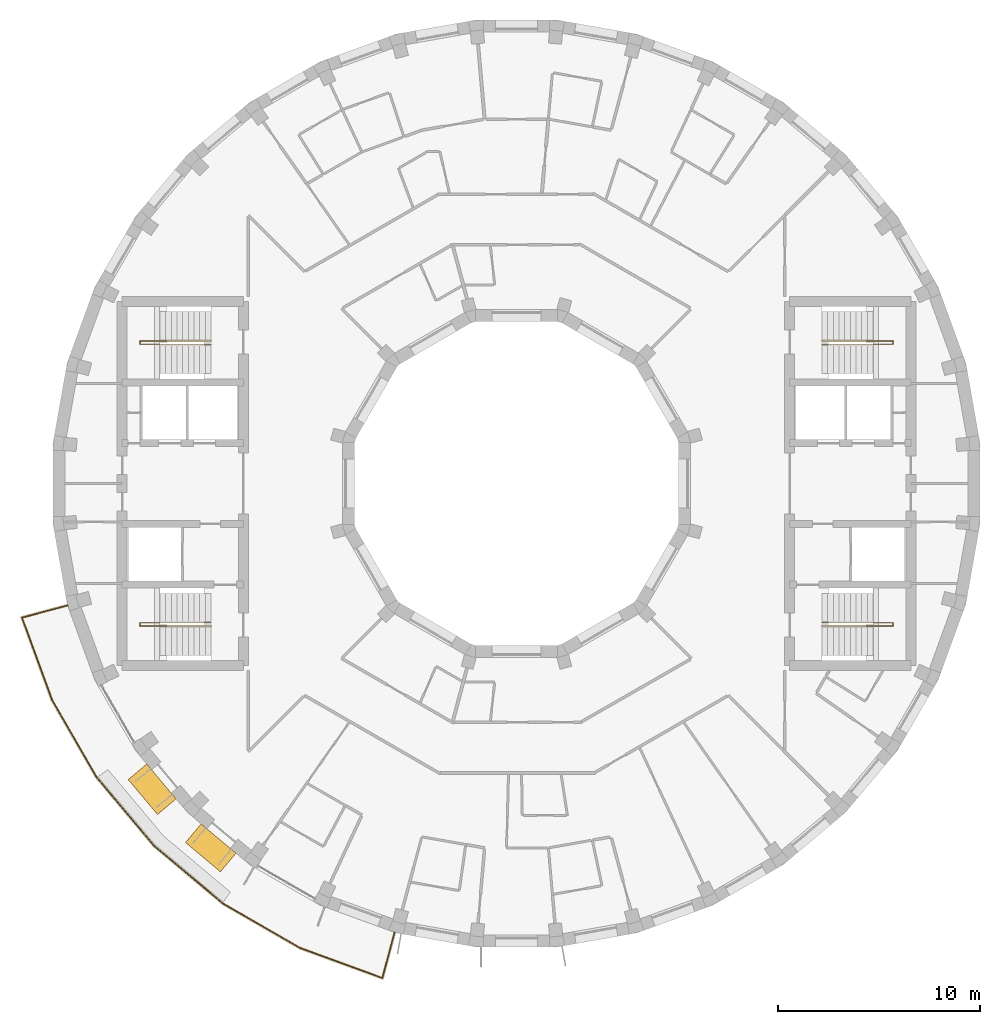
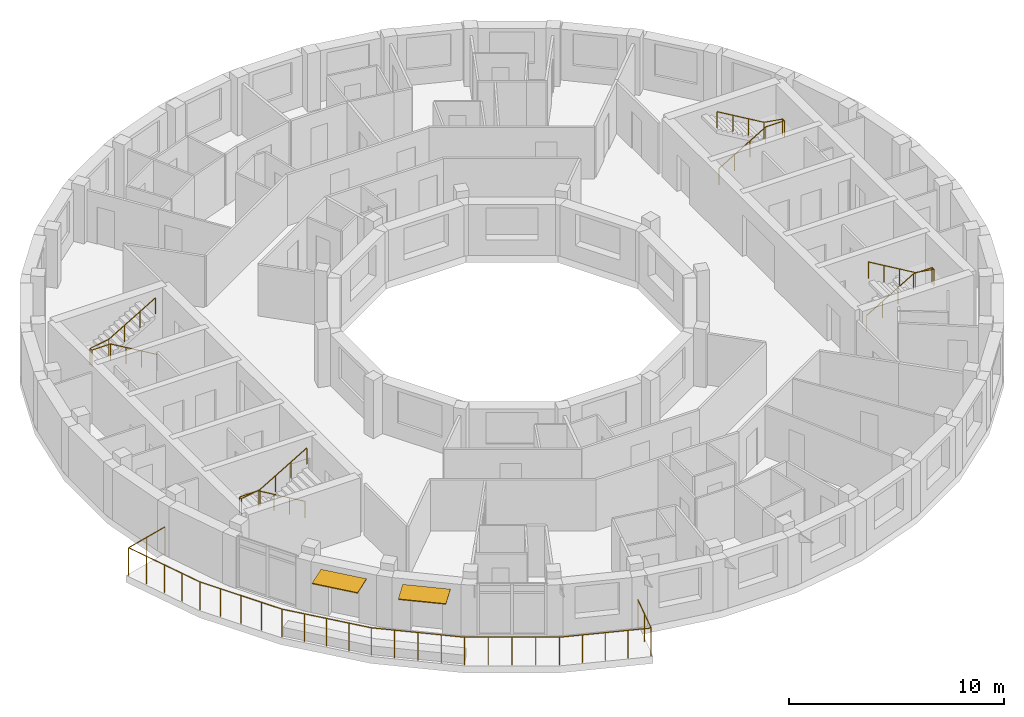
# One storey, part 12 of 12: 5 railings, 2 shading devices.
"""IFC4 building model written with IfcOpenShell, lengths in metres."""

from ifc_helpers import new_model, si_unit, direction, frame, origin, origin_2d, place, context, subcontext, project, spatial, rectangle, circle, extrude, material, layer, layer_set, type_object, element, save


model = new_model("IFC4")

# Units and contexts
model_context = context("Model", 3, precision=1e-05, world=origin(), true_north=direction((0.0, 1.0)))
body_context = subcontext(model_context, "Body", "Model", "MODEL_VIEW")
ifc_project = project(units=[si_unit("LENGTHUNIT", "METRE"), si_unit("AREAUNIT", "SQUARE_METRE"), si_unit("VOLUMEUNIT", "CUBIC_METRE"), si_unit("PLANEANGLEUNIT", "RADIAN"), si_unit("MASSUNIT", "GRAM", prefix="KILO")], contexts=[model_context])

# Site, building, storey
site_placement = place(None, origin())
site = spatial("IfcSite", under=ifc_project, at=site_placement, CompositionType="ELEMENT")
building_placement = place(site_placement, origin())
building = spatial("IfcBuilding", under=site, at=building_placement, Name="Saqina Gate Tower", CompositionType="ELEMENT")
storey_placement = place(building_placement, frame((0.0, 0.0, 266.0)))
storey = spatial("IfcBuildingStorey", under=building, at=storey_placement, Name="L76", CompositionType="ELEMENT", Elevation=266.0)

# Shading devices
ifc_material_1 = material(Name="Aluminium and fabric awning", Category="aluminium")
ifc_layer = layer(ifc_material_1, 0.050048828125)
ifc_layer_set = layer_set([ifc_layer], Name="AW-TERRACE")
shading_device_type = type_object("IfcShadingDeviceType", Name="AW-TERRACE", PredefinedType="AWNING", material=ifc_layer_set)
for number, where, z_axis, x_axis, name in (
    (1, (-18.01171875, -15.113525390625, 2.52490234375), (0.0, 0.0, 1.0), (0.642787609687, -0.766044443119, 0.0), "Terrace awning L76 facet 22"),
    (2, (-15.113525390625, -18.01171875, 2.52490234375), (0.0, 0.0, 1.0), (0.766044443119, -0.642787609687, 0.0), "Terrace awning L76 facet 23"),
):
    element("IfcShadingDevice", number, at=place(storey_placement, frame(where, z_axis=z_axis, x_axis=x_axis)), inside=storey, type_object=shading_device_type, Name=name, PredefinedType="AWNING", context=body_context, shape_type="SweptSolid", body=[
        extrude(rectangle(XDim=2.251708984375, YDim=1.199951171875, at=origin_2d()), origin(), (0.0, 0.0, 1.0), 0.050048828125),
    ])

# Railings
ifc_material_2 = material(Name="Stainless steel", Category="steel")
railing_type_1 = type_object("IfcRailingType", Name="RL-TERRACE", PredefinedType="GUARDRAIL", material=ifc_material_2)
railing_1_placement = place(storey_placement, frame((-22.1376953125, -6.0146484375, 0.0)))
element("IfcRailing", 3, at=railing_1_placement, inside=storey, type_object=railing_type_1, Name="Terrace guard L76", PredefinedType="GUARDRAIL", context=body_context, shape_type="SweptSolid", body=[
    extrude(circle(Radius=0.02392578125, at=origin_2d()), frame((0.0, 0.0, 1.576171875), z_axis=(-0.965935734769, -0.25878206332, 0.0), x_axis=(0.25878206332, -0.965935734769, 0.0)), (0.0, 0.0, 1.0), 2.388671875),
    extrude(circle(Radius=0.02392578125, at=origin_2d()), frame((-2.307373046875, -0.6181640625, 1.576171875), z_axis=(0.343514905065, -0.939147224879, 0.0), x_axis=(0.939147224879, 0.343514905065, 0.0)), (0.0, 0.0, 1.0), 4.33544921875),
    extrude(circle(Radius=0.02392578125, at=origin_2d()), frame((-0.818115234375, -4.689697265625, 1.576171875), z_axis=(0.49998092645, -0.866036415623, 0.0), x_axis=(0.866036415623, 0.49998092645, 0.0)), (0.0, 0.0, 1.0), 4.415283203125),
    extrude(circle(Radius=0.02392578125, at=origin_2d()), frame((1.389404296875, -8.513427734375, 1.576171875), z_axis=(0.642818527017, -0.766018499335, 0.0), x_axis=(0.766018499335, 0.642818527017, 0.0)), (0.0, 0.0, 1.0), 4.4150390625),
    extrude(circle(Radius=0.02392578125, at=origin_2d()), frame((4.2275390625, -11.8955078125, 1.576171875), z_axis=(0.766018499335, -0.642818527017, 0.0), x_axis=(0.642818527017, 0.766018499335, 0.0)), (0.0, 0.0, 1.0), 4.4150390625),
    extrude(circle(Radius=0.02392578125, at=origin_2d()), frame((7.609619140625, -14.733642578125, 1.576171875), z_axis=(0.866036415623, -0.49998092645, 0.0), x_axis=(0.49998092645, 0.866036415623, 0.0)), (0.0, 0.0, 1.0), 4.415283203125),
    extrude(circle(Radius=0.02392578125, at=origin_2d()), frame((11.433349609375, -16.941162109375, 1.576171875), z_axis=(0.939147224879, -0.343514905065, 0.0), x_axis=(0.343514905065, 0.939147224879, 0.0)), (0.0, 0.0, 1.0), 4.33544921875),
    extrude(circle(Radius=0.02392578125, at=origin_2d()), frame((15.5048828125, -18.430419921875, 1.576171875), z_axis=(0.25878206332, 0.965935734769, 0.0), x_axis=(-0.965935734769, 0.25878206332, 0.0)), (0.0, 0.0, 1.0), 2.388671875),
    extrude(circle(Radius=0.02099609375, at=origin_2d()), origin(), (0.0, 0.0, 1.0), 1.552001953125),
    extrude(circle(Radius=0.02099609375, at=origin_2d()), frame((-1.15380859375, -0.30908203125, 0.0)), (0.0, 0.0, 1.0), 1.552001953125),
    extrude(circle(Radius=0.02099609375, at=origin_2d()), frame((-2.307373046875, -0.6181640625, 0.0)), (0.0, 0.0, 1.0), 1.552001953125),
    extrude(circle(Radius=0.02099609375, at=origin_2d()), frame((-1.93505859375, -1.635986328125, 0.0)), (0.0, 0.0, 1.0), 1.552001953125),
    extrude(circle(Radius=0.02099609375, at=origin_2d()), frame((-1.562744140625, -2.65380859375, 0.0)), (0.0, 0.0, 1.0), 1.552001953125),
    extrude(circle(Radius=0.02099609375, at=origin_2d()), frame((-1.1904296875, -3.671875, 0.0)), (0.0, 0.0, 1.0), 1.552001953125),
    extrude(circle(Radius=0.02099609375, at=origin_2d()), frame((-0.818115234375, -4.689697265625, 0.0)), (0.0, 0.0, 1.0), 1.552001953125),
    extrude(circle(Radius=0.02099609375, at=origin_2d()), frame((-0.26611328125, -5.6455078125, 0.0)), (0.0, 0.0, 1.0), 1.552001953125),
    extrude(circle(Radius=0.02099609375, at=origin_2d()), frame((0.28564453125, -6.6015625, 0.0)), (0.0, 0.0, 1.0), 1.552001953125),
    extrude(circle(Radius=0.02099609375, at=origin_2d()), frame((0.83740234375, -7.5576171875, 0.0)), (0.0, 0.0, 1.0), 1.552001953125),
    extrude(circle(Radius=0.02099609375, at=origin_2d()), frame((1.389404296875, -8.513427734375, 0.0)), (0.0, 0.0, 1.0), 1.552001953125),
    extrude(circle(Radius=0.02099609375, at=origin_2d()), frame((2.098876953125, -9.35888671875, 0.0)), (0.0, 0.0, 1.0), 1.552001953125),
    extrude(circle(Radius=0.02099609375, at=origin_2d()), frame((2.80859375, -10.20458984375, 0.0)), (0.0, 0.0, 1.0), 1.552001953125),
    extrude(circle(Radius=0.02099609375, at=origin_2d()), frame((3.51806640625, -11.050048828125, 0.0)), (0.0, 0.0, 1.0), 1.552001953125),
    extrude(circle(Radius=0.02099609375, at=origin_2d()), frame((4.2275390625, -11.8955078125, 0.0)), (0.0, 0.0, 1.0), 1.552001953125),
    extrude(circle(Radius=0.02099609375, at=origin_2d()), frame((5.072998046875, -12.60498046875, 0.0)), (0.0, 0.0, 1.0), 1.552001953125),
    extrude(circle(Radius=0.02099609375, at=origin_2d()), frame((5.91845703125, -13.314453125, 0.0)), (0.0, 0.0, 1.0), 1.552001953125),
    extrude(circle(Radius=0.02099609375, at=origin_2d()), frame((6.76416015625, -14.024169921875, 0.0)), (0.0, 0.0, 1.0), 1.552001953125),
    extrude(circle(Radius=0.02099609375, at=origin_2d()), frame((7.609619140625, -14.733642578125, 0.0)), (0.0, 0.0, 1.0), 1.552001953125),
    extrude(circle(Radius=0.02099609375, at=origin_2d()), frame((8.5654296875, -15.28564453125, 0.0)), (0.0, 0.0, 1.0), 1.552001953125),
    extrude(circle(Radius=0.02099609375, at=origin_2d()), frame((9.521484375, -15.83740234375, 0.0)), (0.0, 0.0, 1.0), 1.552001953125),
    extrude(circle(Radius=0.02099609375, at=origin_2d()), frame((10.4775390625, -16.38916015625, 0.0)), (0.0, 0.0, 1.0), 1.552001953125),
    extrude(circle(Radius=0.02099609375, at=origin_2d()), frame((11.433349609375, -16.941162109375, 0.0)), (0.0, 0.0, 1.0), 1.552001953125),
    extrude(circle(Radius=0.02099609375, at=origin_2d()), frame((12.451171875, -17.3134765625, 0.0)), (0.0, 0.0, 1.0), 1.552001953125),
    extrude(circle(Radius=0.02099609375, at=origin_2d()), frame((13.46923828125, -17.685791015625, 0.0)), (0.0, 0.0, 1.0), 1.552001953125),
    extrude(circle(Radius=0.02099609375, at=origin_2d()), frame((14.487060546875, -18.05810546875, 0.0)), (0.0, 0.0, 1.0), 1.552001953125),
    extrude(circle(Radius=0.02099609375, at=origin_2d()), frame((15.5048828125, -18.430419921875, 0.0)), (0.0, 0.0, 1.0), 1.552001953125),
    extrude(circle(Radius=0.02099609375, at=origin_2d()), frame((15.81396484375, -17.27685546875, 0.0)), (0.0, 0.0, 1.0), 1.552001953125),
    extrude(circle(Radius=0.02099609375, at=origin_2d()), frame((16.123046875, -16.123046875, 0.0)), (0.0, 0.0, 1.0), 1.552001953125),
])
ifc_material_3 = material(Name="Stainless steel", Category="steel")
railing_type_2 = type_object("IfcRailingType", Name="STAIR HANDRAIL", PredefinedType="HANDRAIL", material=ifc_material_3)
railing_2_placement = place(storey_placement, frame((15.10009765625, 6.88330078125, 0.1650390625)))
element("IfcRailing", 4, at=railing_2_placement, inside=storey, type_object=railing_type_2, Name="EXIT STAIR 1 HANDRAIL", PredefinedType="HANDRAIL", context=body_context, shape_type="SweptSolid", body=[
    extrude(circle(Radius=0.02392578125, at=origin_2d()), frame((0.0, 0.0, 0.92578125), z_axis=(0.861560626758, 0.0, 0.507654692109), x_axis=(0.0, 1.0, 0.0)), (0.0, 0.0, 1.0), 2.925048828125),
    extrude(circle(Radius=0.02392578125, at=origin_2d()), frame((2.52001953125, 0.0, 2.41064453125), z_axis=(1.0, 0.0, 0.0), x_axis=(0.0, 1.0, 0.0)), (0.0, 0.0, 1.0), 1.0),
    extrude(circle(Radius=0.02392578125, at=origin_2d()), frame((3.52001953125, 0.0, 2.41064453125), z_axis=(0.0, 1.0, 0.0), x_axis=(-1.0, 0.0, 0.0)), (0.0, 0.0, 1.0), 0.158447265625),
    extrude(circle(Radius=0.02392578125, at=origin_2d()), frame((3.52001953125, 0.158447265625, 2.41064453125), z_axis=(-0.98665309941, 0.0, 0.162836302539), x_axis=(0.0, -1.0, 0.0)), (0.0, 0.0, 1.0), 1.013427734375),
    extrude(circle(Radius=0.02392578125, at=origin_2d()), frame((2.52001953125, 0.158447265625, 2.57568359375), z_axis=(-0.86152411907, 0.0, 0.507716645641), x_axis=(0.0, -1.0, 0.0)), (0.0, 0.0, 1.0), 2.925048828125),
    extrude(circle(Radius=0.02099609375, at=origin_2d()), origin(), (0.0, 0.0, 1.0), 0.90185546875),
    extrude(circle(Radius=0.02099609375, at=origin_2d()), frame((0.840087890625, 0.0, 0.494873046875)), (0.0, 0.0, 1.0), 0.90185546875),
    extrude(circle(Radius=0.02099609375, at=origin_2d()), frame((1.679931640625, 0.0, 0.989990234375)), (0.0, 0.0, 1.0), 0.90185546875),
    extrude(circle(Radius=0.02099609375, at=origin_2d()), frame((2.52001953125, 0.0, 1.48486328125)), (0.0, 0.0, 1.0), 0.90185546875),
    extrude(circle(Radius=0.02099609375, at=origin_2d()), frame((3.52001953125, 0.0, 1.48486328125)), (0.0, 0.0, 1.0), 0.90185546875),
    extrude(circle(Radius=0.02099609375, at=origin_2d()), frame((3.52001953125, 0.158447265625, 1.48486328125)), (0.0, 0.0, 1.0), 0.90185546875),
    extrude(circle(Radius=0.02099609375, at=origin_2d()), frame((2.52001953125, 0.158447265625, 1.64990234375)), (0.0, 0.0, 1.0), 0.90185546875),
    extrude(circle(Radius=0.02099609375, at=origin_2d()), frame((1.679931640625, 0.158447265625, 2.14501953125)), (0.0, 0.0, 1.0), 0.90185546875),
    extrude(circle(Radius=0.02099609375, at=origin_2d()), frame((0.840087890625, 0.158447265625, 2.639892578125)), (0.0, 0.0, 1.0), 0.90185546875),
    extrude(circle(Radius=0.02099609375, at=origin_2d()), frame((0.0, 0.158447265625, 3.135009765625)), (0.0, 0.0, 1.0), 0.90185546875),
])
railing_3_placement = place(storey_placement, frame((15.10009765625, -6.88330078125, 0.1650390625)))
element("IfcRailing", 5, at=railing_3_placement, inside=storey, type_object=railing_type_2, Name="EXIT STAIR 2 HANDRAIL", PredefinedType="HANDRAIL", context=body_context, shape_type="SweptSolid", body=[
    extrude(circle(Radius=0.02392578125, at=origin_2d()), frame((0.0, 0.0, 0.92578125), z_axis=(0.861560626758, 0.0, 0.507654692109), x_axis=(0.0, 1.0, 0.0)), (0.0, 0.0, 1.0), 2.925048828125),
    extrude(circle(Radius=0.02392578125, at=origin_2d()), frame((2.52001953125, 0.0, 2.41064453125), z_axis=(1.0, 0.0, 0.0), x_axis=(0.0, 1.0, 0.0)), (0.0, 0.0, 1.0), 1.0),
    extrude(circle(Radius=0.02392578125, at=origin_2d()), frame((3.52001953125, 0.0, 2.41064453125), z_axis=(0.0, -1.0, 0.0), x_axis=(1.0, 0.0, 0.0)), (0.0, 0.0, 1.0), 0.158447265625),
    extrude(circle(Radius=0.02392578125, at=origin_2d()), frame((3.52001953125, -0.158447265625, 2.41064453125), z_axis=(-0.98665309941, 0.0, 0.162836302539), x_axis=(0.0, -1.0, 0.0)), (0.0, 0.0, 1.0), 1.013427734375),
    extrude(circle(Radius=0.02392578125, at=origin_2d()), frame((2.52001953125, -0.158447265625, 2.57568359375), z_axis=(-0.86152411907, 0.0, 0.507716645641), x_axis=(0.0, -1.0, 0.0)), (0.0, 0.0, 1.0), 2.925048828125),
    extrude(circle(Radius=0.02099609375, at=origin_2d()), origin(), (0.0, 0.0, 1.0), 0.90185546875),
    extrude(circle(Radius=0.02099609375, at=origin_2d()), frame((0.840087890625, 0.0, 0.494873046875)), (0.0, 0.0, 1.0), 0.90185546875),
    extrude(circle(Radius=0.02099609375, at=origin_2d()), frame((1.679931640625, 0.0, 0.989990234375)), (0.0, 0.0, 1.0), 0.90185546875),
    extrude(circle(Radius=0.02099609375, at=origin_2d()), frame((2.52001953125, 0.0, 1.48486328125)), (0.0, 0.0, 1.0), 0.90185546875),
    extrude(circle(Radius=0.02099609375, at=origin_2d()), frame((3.52001953125, 0.0, 1.48486328125)), (0.0, 0.0, 1.0), 0.90185546875),
    extrude(circle(Radius=0.02099609375, at=origin_2d()), frame((3.52001953125, -0.158447265625, 1.48486328125)), (0.0, 0.0, 1.0), 0.90185546875),
    extrude(circle(Radius=0.02099609375, at=origin_2d()), frame((2.52001953125, -0.158447265625, 1.64990234375)), (0.0, 0.0, 1.0), 0.90185546875),
    extrude(circle(Radius=0.02099609375, at=origin_2d()), frame((1.679931640625, -0.158447265625, 2.14501953125)), (0.0, 0.0, 1.0), 0.90185546875),
    extrude(circle(Radius=0.02099609375, at=origin_2d()), frame((0.840087890625, -0.158447265625, 2.639892578125)), (0.0, 0.0, 1.0), 0.90185546875),
    extrude(circle(Radius=0.02099609375, at=origin_2d()), frame((0.0, -0.158447265625, 3.135009765625)), (0.0, 0.0, 1.0), 0.90185546875),
])
railing_4_placement = place(storey_placement, frame((-15.10009765625, 6.88330078125, 0.1650390625)))
element("IfcRailing", 6, at=railing_4_placement, inside=storey, type_object=railing_type_2, Name="EXIT STAIR 3 HANDRAIL", PredefinedType="HANDRAIL", context=body_context, shape_type="SweptSolid", body=[
    extrude(circle(Radius=0.02392578125, at=origin_2d()), frame((0.0, 0.0, 0.92578125), z_axis=(-0.861560626758, 0.0, 0.507654692109), x_axis=(0.0, -1.0, 0.0)), (0.0, 0.0, 1.0), 2.925048828125),
    extrude(circle(Radius=0.02392578125, at=origin_2d()), frame((-2.52001953125, 0.0, 2.41064453125), z_axis=(-1.0, 0.0, 0.0), x_axis=(0.0, -1.0, 0.0)), (0.0, 0.0, 1.0), 1.0),
    extrude(circle(Radius=0.02392578125, at=origin_2d()), frame((-3.52001953125, 0.0, 2.41064453125), z_axis=(0.0, 1.0, 0.0), x_axis=(-1.0, 0.0, 0.0)), (0.0, 0.0, 1.0), 0.158447265625),
    extrude(circle(Radius=0.02392578125, at=origin_2d()), frame((-3.52001953125, 0.158447265625, 2.41064453125), z_axis=(0.98665309941, 0.0, 0.162836302539), x_axis=(0.0, 1.0, 0.0)), (0.0, 0.0, 1.0), 1.013427734375),
    extrude(circle(Radius=0.02392578125, at=origin_2d()), frame((-2.52001953125, 0.158447265625, 2.57568359375), z_axis=(0.86152411907, 0.0, 0.507716645641), x_axis=(0.0, 1.0, 0.0)), (0.0, 0.0, 1.0), 2.925048828125),
    extrude(circle(Radius=0.02099609375, at=origin_2d()), origin(), (0.0, 0.0, 1.0), 0.90185546875),
    extrude(circle(Radius=0.02099609375, at=origin_2d()), frame((-0.840087890625, 0.0, 0.494873046875)), (0.0, 0.0, 1.0), 0.90185546875),
    extrude(circle(Radius=0.02099609375, at=origin_2d()), frame((-1.679931640625, 0.0, 0.989990234375)), (0.0, 0.0, 1.0), 0.90185546875),
    extrude(circle(Radius=0.02099609375, at=origin_2d()), frame((-2.52001953125, 0.0, 1.48486328125)), (0.0, 0.0, 1.0), 0.90185546875),
    extrude(circle(Radius=0.02099609375, at=origin_2d()), frame((-3.52001953125, 0.0, 1.48486328125)), (0.0, 0.0, 1.0), 0.90185546875),
    extrude(circle(Radius=0.02099609375, at=origin_2d()), frame((-3.52001953125, 0.158447265625, 1.48486328125)), (0.0, 0.0, 1.0), 0.90185546875),
    extrude(circle(Radius=0.02099609375, at=origin_2d()), frame((-2.52001953125, 0.158447265625, 1.64990234375)), (0.0, 0.0, 1.0), 0.90185546875),
    extrude(circle(Radius=0.02099609375, at=origin_2d()), frame((-1.679931640625, 0.158447265625, 2.14501953125)), (0.0, 0.0, 1.0), 0.90185546875),
    extrude(circle(Radius=0.02099609375, at=origin_2d()), frame((-0.840087890625, 0.158447265625, 2.639892578125)), (0.0, 0.0, 1.0), 0.90185546875),
    extrude(circle(Radius=0.02099609375, at=origin_2d()), frame((0.0, 0.158447265625, 3.135009765625)), (0.0, 0.0, 1.0), 0.90185546875),
])
railing_5_placement = place(storey_placement, frame((-15.10009765625, -6.88330078125, 0.1650390625)))
element("IfcRailing", 7, at=railing_5_placement, inside=storey, type_object=railing_type_2, Name="EXIT STAIR 4 HANDRAIL", PredefinedType="HANDRAIL", context=body_context, shape_type="SweptSolid", body=[
    extrude(circle(Radius=0.02392578125, at=origin_2d()), frame((0.0, 0.0, 0.92578125), z_axis=(-0.861560626758, 0.0, 0.507654692109), x_axis=(0.0, -1.0, 0.0)), (0.0, 0.0, 1.0), 2.925048828125),
    extrude(circle(Radius=0.02392578125, at=origin_2d()), frame((-2.52001953125, 0.0, 2.41064453125), z_axis=(-1.0, 0.0, 0.0), x_axis=(0.0, -1.0, 0.0)), (0.0, 0.0, 1.0), 1.0),
    extrude(circle(Radius=0.02392578125, at=origin_2d()), frame((-3.52001953125, 0.0, 2.41064453125), z_axis=(0.0, -1.0, 0.0), x_axis=(1.0, 0.0, 0.0)), (0.0, 0.0, 1.0), 0.158447265625),
    extrude(circle(Radius=0.02392578125, at=origin_2d()), frame((-3.52001953125, -0.158447265625, 2.41064453125), z_axis=(0.98665309941, 0.0, 0.162836302539), x_axis=(0.0, 1.0, 0.0)), (0.0, 0.0, 1.0), 1.013427734375),
    extrude(circle(Radius=0.02392578125, at=origin_2d()), frame((-2.52001953125, -0.158447265625, 2.57568359375), z_axis=(0.86152411907, 0.0, 0.507716645641), x_axis=(0.0, 1.0, 0.0)), (0.0, 0.0, 1.0), 2.925048828125),
    extrude(circle(Radius=0.02099609375, at=origin_2d()), origin(), (0.0, 0.0, 1.0), 0.90185546875),
    extrude(circle(Radius=0.02099609375, at=origin_2d()), frame((-0.840087890625, 0.0, 0.494873046875)), (0.0, 0.0, 1.0), 0.90185546875),
    extrude(circle(Radius=0.02099609375, at=origin_2d()), frame((-1.679931640625, 0.0, 0.989990234375)), (0.0, 0.0, 1.0), 0.90185546875),
    extrude(circle(Radius=0.02099609375, at=origin_2d()), frame((-2.52001953125, 0.0, 1.48486328125)), (0.0, 0.0, 1.0), 0.90185546875),
    extrude(circle(Radius=0.02099609375, at=origin_2d()), frame((-3.52001953125, 0.0, 1.48486328125)), (0.0, 0.0, 1.0), 0.90185546875),
    extrude(circle(Radius=0.02099609375, at=origin_2d()), frame((-3.52001953125, -0.158447265625, 1.48486328125)), (0.0, 0.0, 1.0), 0.90185546875),
    extrude(circle(Radius=0.02099609375, at=origin_2d()), frame((-2.52001953125, -0.158447265625, 1.64990234375)), (0.0, 0.0, 1.0), 0.90185546875),
    extrude(circle(Radius=0.02099609375, at=origin_2d()), frame((-1.679931640625, -0.158447265625, 2.14501953125)), (0.0, 0.0, 1.0), 0.90185546875),
    extrude(circle(Radius=0.02099609375, at=origin_2d()), frame((-0.840087890625, -0.158447265625, 2.639892578125)), (0.0, 0.0, 1.0), 0.90185546875),
    extrude(circle(Radius=0.02099609375, at=origin_2d()), frame((0.0, -0.158447265625, 3.135009765625)), (0.0, 0.0, 1.0), 0.90185546875),
])

save(model, "model.ifc")
